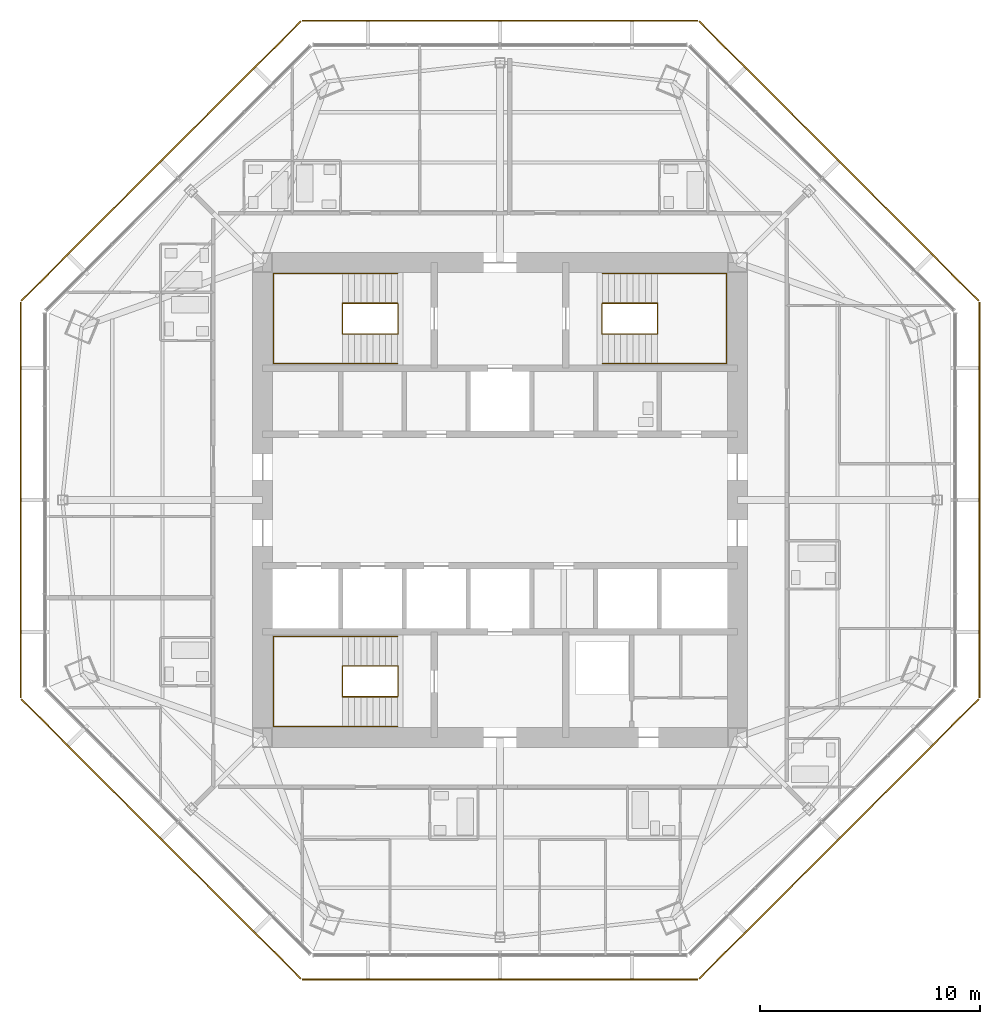
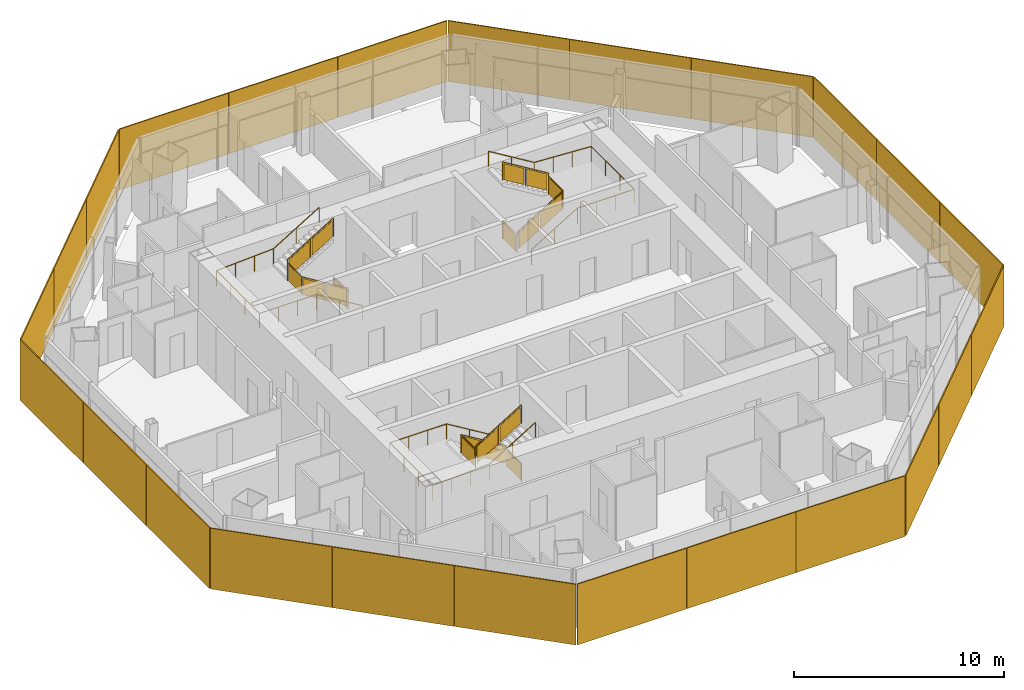
# One storey, part 14 of 15: 24 shading devices, 6 railings.
"""IFC4 building model written with IfcOpenShell, lengths in metres."""

from ifc_helpers import new_model, si_unit, direction, frame, origin, origin_2d, place, context, subcontext, project, spatial, polyline, rectangle, circle, outline, extrude, source, transform, mapped, material, layer, layer_set, type_object, type_shapes, element, save


model = new_model("IFC4")

# Units and contexts
model_context = context("Model", 3, precision=1e-05, world=origin(), true_north=direction((0.0, 1.0)))
body_context = subcontext(model_context, "Body", "Model", "MODEL_VIEW")
ifc_project = project(units=[si_unit("LENGTHUNIT", "METRE"), si_unit("AREAUNIT", "SQUARE_METRE"), si_unit("VOLUMEUNIT", "CUBIC_METRE"), si_unit("PLANEANGLEUNIT", "RADIAN"), si_unit("MASSUNIT", "GRAM", prefix="KILO")], contexts=[model_context])

# Site, building, storey
site_placement = place(None, origin())
site = spatial("IfcSite", under=ifc_project, at=site_placement, CompositionType="ELEMENT")
building_placement = place(site_placement, origin())
building = spatial("IfcBuilding", under=site, at=building_placement, Name="Mashrafa Tower", CompositionType="ELEMENT")
storey_placement = place(building_placement, frame((0.0, 0.0, 258.39990234375)))
storey = spatial("IfcBuildingStorey", under=building, at=storey_placement, Name="L62", CompositionType="ELEMENT", Elevation=258.39990234375)

# Railings
ifc_material_1 = material(Name="Steel guard with glass infill", Category="steel")
railing_type_1 = type_object("IfcRailingType", Name="Stair guard 1100", PredefinedType="GUARDRAIL", material=ifc_material_1)
railing_1_placement = place(storey_placement, frame((-4.64990234375, 8.949951171875, 0.0)))
element("IfcRailing", 1, at=railing_1_placement, inside=storey, type_object=railing_type_1, Name="Stair S1 guard L62", PredefinedType="GUARDRAIL", context=body_context, shape_type="SweptSolid", body=[
    extrude(circle(Radius=0.02392578125, at=origin_2d()), frame((0.0, 0.0, 1.076171875), z_axis=(0.0, -1.0, 0.0), x_axis=(1.0, 0.0, 0.0)), (0.0, 0.0, 1.0), 1.39990234375),
    extrude(circle(Radius=0.02392578125, at=origin_2d()), frame((0.0, -1.39990234375, 1.076171875), z_axis=(0.0, 0.0, 1.0), x_axis=(1.0, 0.0, 0.0)), (0.0, 0.0, 1.0), 0.170166015625),
    extrude(circle(Radius=0.02392578125, at=origin_2d()), frame((0.0, -1.39990234375, 1.24609375), z_axis=(-0.85478489116, 0.0, 0.518982456201), x_axis=(0.0, -1.0, 0.0)), (0.0, 0.0, 1.0), 2.9482421875),
    extrude(circle(Radius=0.02392578125, at=origin_2d()), frame((-2.52001953125, -1.39990234375, 2.7763671875), z_axis=(0.0, 1.0, 0.0), x_axis=(-1.0, 0.0, 0.0)), (0.0, 0.0, 1.0), 1.39990234375),
    extrude(circle(Radius=0.02392578125, at=origin_2d()), frame((-2.52001953125, 0.0, 2.7763671875), z_axis=(0.0, 0.0, 1.0), x_axis=(1.0, 0.0, 0.0)), (0.0, 0.0, 1.0), 0.169921875),
    extrude(circle(Radius=0.02392578125, at=origin_2d()), frame((-2.52001953125, 0.0, 2.9462890625), z_axis=(0.85478489116, 0.0, 0.518982456201), x_axis=(0.0, 1.0, 0.0)), (0.0, 0.0, 1.0), 2.9482421875),
    extrude(circle(Radius=0.02099609375, at=origin_2d()), origin(), (0.0, 0.0, 1.0), 1.052001953125),
    extrude(circle(Radius=0.02099609375, at=origin_2d()), frame((0.0, -1.39990234375, 0.0)), (0.0, 0.0, 1.0), 1.052001953125),
    extrude(circle(Radius=0.02099609375, at=origin_2d()), frame((0.0, -1.39990234375, 0.170166015625)), (0.0, 0.0, 1.0), 1.052001953125),
    extrude(circle(Radius=0.02099609375, at=origin_2d()), frame((-1.260009765625, -1.39990234375, 0.93505859375)), (0.0, 0.0, 1.0), 1.052001953125),
    extrude(circle(Radius=0.02099609375, at=origin_2d()), frame((-2.52001953125, -1.39990234375, 1.7001953125)), (0.0, 0.0, 1.0), 1.052001953125),
    extrude(circle(Radius=0.02099609375, at=origin_2d()), frame((-2.52001953125, 0.0, 1.7001953125)), (0.0, 0.0, 1.0), 1.052001953125),
    extrude(circle(Radius=0.02099609375, at=origin_2d()), frame((-2.52001953125, 0.0, 1.8701171875)), (0.0, 0.0, 1.0), 1.052001953125),
    extrude(circle(Radius=0.02099609375, at=origin_2d()), frame((-1.260009765625, 0.0, 2.63525390625)), (0.0, 0.0, 1.0), 1.052001953125),
    extrude(circle(Radius=0.02099609375, at=origin_2d()), frame((0.0, 0.0, 3.400146484375)), (0.0, 0.0, 1.0), 1.052001953125),
    extrude(outline(polyline([(0.071044921875, 0.050048828125), (1.328857421875, 0.050048828125), (1.328857421875, 1.001953125), (0.071044921875, 1.001953125), (0.071044921875, 0.050048828125)])), frame((-0.006103515625, 0.0, 0.0), z_axis=(-1.0, 0.0, 0.0), x_axis=(0.0, -1.0, 0.0)), (0.0, 0.0, 1.0), 0.011962890625),
    extrude(outline(polyline([(0.071044921875, 0.093017578125), (1.18896484375, 0.77197265625), (1.18896484375, 1.723876953125), (0.071044921875, 1.045166015625), (0.071044921875, 0.093017578125)])), frame((0.0, -1.393798828125, 0.170166015625), z_axis=(0.0, 1.0, 0.0), x_axis=(-1.0, 0.0, 0.0)), (0.0, 0.0, 1.0), 0.011962890625),
    extrude(outline(polyline([(1.3310546875, 0.858154296875), (2.448974609375, 1.536865234375), (2.448974609375, 2.489013671875), (1.3310546875, 1.81005859375), (1.3310546875, 0.858154296875)])), frame((0.0, -1.393798828125, 0.170166015625), z_axis=(0.0, 1.0, 0.0), x_axis=(-1.0, 0.0, 0.0)), (0.0, 0.0, 1.0), 0.011962890625),
    extrude(outline(polyline([(0.071044921875, 0.050048828125), (1.328857421875, 0.050048828125), (1.328857421875, 1.001953125), (0.071044921875, 1.001953125), (0.071044921875, 0.050048828125)])), frame((-2.513916015625, -1.39990234375, 1.7001953125), z_axis=(1.0, 0.0, 0.0), x_axis=(0.0, 1.0, 0.0)), (0.0, 0.0, 1.0), 0.011962890625),
    extrude(outline(polyline([(0.071044921875, 0.093017578125), (1.18896484375, 0.77197265625), (1.18896484375, 1.723876953125), (0.071044921875, 1.045166015625), (0.071044921875, 0.093017578125)])), frame((-2.52001953125, -0.006103515625, 1.8701171875), z_axis=(0.0, -1.0, 0.0), x_axis=(1.0, 0.0, 0.0)), (0.0, 0.0, 1.0), 0.011962890625),
    extrude(outline(polyline([(1.3310546875, 0.858154296875), (2.448974609375, 1.536865234375), (2.448974609375, 2.489013671875), (1.3310546875, 1.81005859375), (1.3310546875, 0.858154296875)])), frame((-2.52001953125, -0.006103515625, 1.8701171875), z_axis=(0.0, -1.0, 0.0), x_axis=(1.0, 0.0, 0.0)), (0.0, 0.0, 1.0), 0.011962890625),
])
railing_2_placement = place(storey_placement, frame((4.64990234375, 8.949951171875, 0.0)))
element("IfcRailing", 2, at=railing_2_placement, inside=storey, type_object=railing_type_1, Name="Stair S2 guard L62", PredefinedType="GUARDRAIL", context=body_context, shape_type="SweptSolid", body=[
    extrude(circle(Radius=0.02392578125, at=origin_2d()), frame((0.0, 0.0, 1.076171875), z_axis=(0.0, -1.0, 0.0), x_axis=(1.0, 0.0, 0.0)), (0.0, 0.0, 1.0), 1.39990234375),
    extrude(circle(Radius=0.02392578125, at=origin_2d()), frame((0.0, -1.39990234375, 1.076171875), z_axis=(0.0, 0.0, 1.0), x_axis=(1.0, 0.0, 0.0)), (0.0, 0.0, 1.0), 0.170166015625),
    extrude(circle(Radius=0.02392578125, at=origin_2d()), frame((0.0, -1.39990234375, 1.24609375), z_axis=(0.85478489116, 0.0, 0.518982456201), x_axis=(0.0, 1.0, 0.0)), (0.0, 0.0, 1.0), 2.9482421875),
    extrude(circle(Radius=0.02392578125, at=origin_2d()), frame((2.52001953125, -1.39990234375, 2.7763671875), z_axis=(0.0, 1.0, 0.0), x_axis=(-1.0, 0.0, 0.0)), (0.0, 0.0, 1.0), 1.39990234375),
    extrude(circle(Radius=0.02392578125, at=origin_2d()), frame((2.52001953125, 0.0, 2.7763671875), z_axis=(0.0, 0.0, 1.0), x_axis=(1.0, 0.0, 0.0)), (0.0, 0.0, 1.0), 0.169921875),
    extrude(circle(Radius=0.02392578125, at=origin_2d()), frame((2.52001953125, 0.0, 2.9462890625), z_axis=(-0.85478489116, 0.0, 0.518982456201), x_axis=(0.0, -1.0, 0.0)), (0.0, 0.0, 1.0), 2.9482421875),
    extrude(circle(Radius=0.02099609375, at=origin_2d()), origin(), (0.0, 0.0, 1.0), 1.052001953125),
    extrude(circle(Radius=0.02099609375, at=origin_2d()), frame((0.0, -1.39990234375, 0.0)), (0.0, 0.0, 1.0), 1.052001953125),
    extrude(circle(Radius=0.02099609375, at=origin_2d()), frame((0.0, -1.39990234375, 0.170166015625)), (0.0, 0.0, 1.0), 1.052001953125),
    extrude(circle(Radius=0.02099609375, at=origin_2d()), frame((1.260009765625, -1.39990234375, 0.93505859375)), (0.0, 0.0, 1.0), 1.052001953125),
    extrude(circle(Radius=0.02099609375, at=origin_2d()), frame((2.52001953125, -1.39990234375, 1.7001953125)), (0.0, 0.0, 1.0), 1.052001953125),
    extrude(circle(Radius=0.02099609375, at=origin_2d()), frame((2.52001953125, 0.0, 1.7001953125)), (0.0, 0.0, 1.0), 1.052001953125),
    extrude(circle(Radius=0.02099609375, at=origin_2d()), frame((2.52001953125, 0.0, 1.8701171875)), (0.0, 0.0, 1.0), 1.052001953125),
    extrude(circle(Radius=0.02099609375, at=origin_2d()), frame((1.260009765625, 0.0, 2.63525390625)), (0.0, 0.0, 1.0), 1.052001953125),
    extrude(circle(Radius=0.02099609375, at=origin_2d()), frame((0.0, 0.0, 3.400146484375)), (0.0, 0.0, 1.0), 1.052001953125),
    extrude(outline(polyline([(0.071044921875, 0.050048828125), (1.328857421875, 0.050048828125), (1.328857421875, 1.001953125), (0.071044921875, 1.001953125), (0.071044921875, 0.050048828125)])), frame((-0.006103515625, 0.0, 0.0), z_axis=(-1.0, 0.0, 0.0), x_axis=(0.0, -1.0, 0.0)), (0.0, 0.0, 1.0), 0.011962890625),
    extrude(outline(polyline([(0.071044921875, 0.093017578125), (1.18896484375, 0.77197265625), (1.18896484375, 1.723876953125), (0.071044921875, 1.045166015625), (0.071044921875, 0.093017578125)])), frame((0.0, -1.406005859375, 0.170166015625), z_axis=(0.0, -1.0, 0.0), x_axis=(1.0, 0.0, 0.0)), (0.0, 0.0, 1.0), 0.011962890625),
    extrude(outline(polyline([(1.3310546875, 0.858154296875), (2.448974609375, 1.536865234375), (2.448974609375, 2.489013671875), (1.3310546875, 1.81005859375), (1.3310546875, 0.858154296875)])), frame((0.0, -1.406005859375, 0.170166015625), z_axis=(0.0, -1.0, 0.0), x_axis=(1.0, 0.0, 0.0)), (0.0, 0.0, 1.0), 0.011962890625),
    extrude(outline(polyline([(0.071044921875, 0.050048828125), (1.328857421875, 0.050048828125), (1.328857421875, 1.001953125), (0.071044921875, 1.001953125), (0.071044921875, 0.050048828125)])), frame((2.526123046875, -1.39990234375, 1.7001953125), z_axis=(1.0, 0.0, 0.0), x_axis=(0.0, 1.0, 0.0)), (0.0, 0.0, 1.0), 0.011962890625),
    extrude(outline(polyline([(0.071044921875, 0.093017578125), (1.18896484375, 0.77197265625), (1.18896484375, 1.723876953125), (0.071044921875, 1.045166015625), (0.071044921875, 0.093017578125)])), frame((2.52001953125, 0.006103515625, 1.8701171875), z_axis=(0.0, 1.0, 0.0), x_axis=(-1.0, 0.0, 0.0)), (0.0, 0.0, 1.0), 0.011962890625),
    extrude(outline(polyline([(1.3310546875, 0.858154296875), (2.448974609375, 1.536865234375), (2.448974609375, 2.489013671875), (1.3310546875, 1.81005859375), (1.3310546875, 0.858154296875)])), frame((2.52001953125, 0.006103515625, 1.8701171875), z_axis=(0.0, 1.0, 0.0), x_axis=(-1.0, 0.0, 0.0)), (0.0, 0.0, 1.0), 0.011962890625),
])
railing_3_placement = place(storey_placement, frame((-4.64990234375, -8.949951171875, 0.0)))
element("IfcRailing", 3, at=railing_3_placement, inside=storey, type_object=railing_type_1, Name="Stair S3 guard L62", PredefinedType="GUARDRAIL", context=body_context, shape_type="SweptSolid", body=[
    extrude(circle(Radius=0.02392578125, at=origin_2d()), frame((0.0, 0.0, 1.076171875), z_axis=(0.0, 1.0, 0.0), x_axis=(-1.0, 0.0, 0.0)), (0.0, 0.0, 1.0), 1.39990234375),
    extrude(circle(Radius=0.02392578125, at=origin_2d()), frame((0.0, 1.39990234375, 1.076171875), z_axis=(0.0, 0.0, 1.0), x_axis=(1.0, 0.0, 0.0)), (0.0, 0.0, 1.0), 0.170166015625),
    extrude(circle(Radius=0.02392578125, at=origin_2d()), frame((0.0, 1.39990234375, 1.24609375), z_axis=(-0.85478489116, 0.0, 0.518982456201), x_axis=(0.0, -1.0, 0.0)), (0.0, 0.0, 1.0), 2.9482421875),
    extrude(circle(Radius=0.02392578125, at=origin_2d()), frame((-2.52001953125, 1.39990234375, 2.7763671875), z_axis=(0.0, -1.0, 0.0), x_axis=(1.0, 0.0, 0.0)), (0.0, 0.0, 1.0), 1.39990234375),
    extrude(circle(Radius=0.02392578125, at=origin_2d()), frame((-2.52001953125, 0.0, 2.7763671875), z_axis=(0.0, 0.0, 1.0), x_axis=(1.0, 0.0, 0.0)), (0.0, 0.0, 1.0), 0.169921875),
    extrude(circle(Radius=0.02392578125, at=origin_2d()), frame((-2.52001953125, 0.0, 2.9462890625), z_axis=(0.85478489116, 0.0, 0.518982456201), x_axis=(0.0, 1.0, 0.0)), (0.0, 0.0, 1.0), 2.9482421875),
    extrude(circle(Radius=0.02099609375, at=origin_2d()), origin(), (0.0, 0.0, 1.0), 1.052001953125),
    extrude(circle(Radius=0.02099609375, at=origin_2d()), frame((0.0, 1.39990234375, 0.0)), (0.0, 0.0, 1.0), 1.052001953125),
    extrude(circle(Radius=0.02099609375, at=origin_2d()), frame((0.0, 1.39990234375, 0.170166015625)), (0.0, 0.0, 1.0), 1.052001953125),
    extrude(circle(Radius=0.02099609375, at=origin_2d()), frame((-1.260009765625, 1.39990234375, 0.93505859375)), (0.0, 0.0, 1.0), 1.052001953125),
    extrude(circle(Radius=0.02099609375, at=origin_2d()), frame((-2.52001953125, 1.39990234375, 1.7001953125)), (0.0, 0.0, 1.0), 1.052001953125),
    extrude(circle(Radius=0.02099609375, at=origin_2d()), frame((-2.52001953125, 0.0, 1.7001953125)), (0.0, 0.0, 1.0), 1.052001953125),
    extrude(circle(Radius=0.02099609375, at=origin_2d()), frame((-2.52001953125, 0.0, 1.8701171875)), (0.0, 0.0, 1.0), 1.052001953125),
    extrude(circle(Radius=0.02099609375, at=origin_2d()), frame((-1.260009765625, 0.0, 2.63525390625)), (0.0, 0.0, 1.0), 1.052001953125),
    extrude(circle(Radius=0.02099609375, at=origin_2d()), frame((0.0, 0.0, 3.400146484375)), (0.0, 0.0, 1.0), 1.052001953125),
    extrude(outline(polyline([(0.071044921875, 0.050048828125), (1.328857421875, 0.050048828125), (1.328857421875, 1.001953125), (0.071044921875, 1.001953125), (0.071044921875, 0.050048828125)])), frame((0.006103515625, 0.0, 0.0), z_axis=(1.0, 0.0, 0.0), x_axis=(0.0, 1.0, 0.0)), (0.0, 0.0, 1.0), 0.011962890625),
    extrude(outline(polyline([(0.071044921875, 0.093017578125), (1.18896484375, 0.77197265625), (1.18896484375, 1.723876953125), (0.071044921875, 1.045166015625), (0.071044921875, 0.093017578125)])), frame((0.0, 1.406005859375, 0.170166015625), z_axis=(0.0, 1.0, 0.0), x_axis=(-1.0, 0.0, 0.0)), (0.0, 0.0, 1.0), 0.011962890625),
    extrude(outline(polyline([(1.3310546875, 0.858154296875), (2.448974609375, 1.536865234375), (2.448974609375, 2.489013671875), (1.3310546875, 1.81005859375), (1.3310546875, 0.858154296875)])), frame((0.0, 1.406005859375, 0.170166015625), z_axis=(0.0, 1.0, 0.0), x_axis=(-1.0, 0.0, 0.0)), (0.0, 0.0, 1.0), 0.011962890625),
    extrude(outline(polyline([(0.071044921875, 0.050048828125), (1.328857421875, 0.050048828125), (1.328857421875, 1.001953125), (0.071044921875, 1.001953125), (0.071044921875, 0.050048828125)])), frame((-2.526123046875, 1.39990234375, 1.7001953125), z_axis=(-1.0, 0.0, 0.0), x_axis=(0.0, -1.0, 0.0)), (0.0, 0.0, 1.0), 0.011962890625),
    extrude(outline(polyline([(0.071044921875, 0.093017578125), (1.18896484375, 0.77197265625), (1.18896484375, 1.723876953125), (0.071044921875, 1.045166015625), (0.071044921875, 0.093017578125)])), frame((-2.52001953125, -0.006103515625, 1.8701171875), z_axis=(0.0, -1.0, 0.0), x_axis=(1.0, 0.0, 0.0)), (0.0, 0.0, 1.0), 0.011962890625),
    extrude(outline(polyline([(1.3310546875, 0.858154296875), (2.448974609375, 1.536865234375), (2.448974609375, 2.489013671875), (1.3310546875, 1.81005859375), (1.3310546875, 0.858154296875)])), frame((-2.52001953125, -0.006103515625, 1.8701171875), z_axis=(0.0, -1.0, 0.0), x_axis=(1.0, 0.0, 0.0)), (0.0, 0.0, 1.0), 0.011962890625),
])
ifc_material_2 = material(Name="Steel", Category="steel")
railing_type_2 = type_object("IfcRailingType", Name="Stair handrail 900", PredefinedType="HANDRAIL", material=ifc_material_2)
railing_4_placement = place(storey_placement, frame((-4.64990234375, 6.199951171875, 0.170166015625)))
element("IfcRailing", 4, at=railing_4_placement, inside=storey, type_object=railing_type_2, Name="Stair S1 handrail L62", PredefinedType="HANDRAIL", context=body_context, shape_type="SweptSolid", body=[
    extrude(circle(Radius=0.02392578125, at=origin_2d()), frame((0.0, 0.0, 0.8759765625), z_axis=(-0.85478489116, 0.0, 0.518982456201), x_axis=(0.0, -1.0, 0.0)), (0.0, 0.0, 1.0), 2.9482421875),
    extrude(circle(Radius=0.02392578125, at=origin_2d()), frame((-2.52001953125, 0.0, 2.40576171875), z_axis=(-1.0, 0.0, 0.0), x_axis=(0.0, -1.0, 0.0)), (0.0, 0.0, 1.0), 3.130126953125),
    extrude(circle(Radius=0.02392578125, at=origin_2d()), frame((-5.650146484375, 0.0, 2.40576171875), z_axis=(0.0, 1.0, 0.0), x_axis=(-1.0, 0.0, 0.0)), (0.0, 0.0, 1.0), 4.10009765625),
    extrude(circle(Radius=0.02392578125, at=origin_2d()), frame((-5.650146484375, 4.10009765625, 2.40576171875), z_axis=(0.998529767259, 0.0, 0.054206124172), x_axis=(0.0, 1.0, 0.0)), (0.0, 0.0, 1.0), 3.134765625),
    extrude(circle(Radius=0.02392578125, at=origin_2d()), frame((-2.52001953125, 4.10009765625, 2.57568359375), z_axis=(0.85478489116, 0.0, 0.518982456201), x_axis=(0.0, 1.0, 0.0)), (0.0, 0.0, 1.0), 2.9482421875),
    extrude(circle(Radius=0.02099609375, at=origin_2d()), origin(), (0.0, 0.0, 1.0), 0.851806640625),
    extrude(circle(Radius=0.02099609375, at=origin_2d()), frame((-1.260009765625, 0.0, 0.76513671875)), (0.0, 0.0, 1.0), 0.851806640625),
    extrude(circle(Radius=0.02099609375, at=origin_2d()), frame((-2.52001953125, 0.0, 1.530029296875)), (0.0, 0.0, 1.0), 0.851806640625),
    extrude(circle(Radius=0.02099609375, at=origin_2d()), frame((-3.5634765625, 0.0, 1.530029296875)), (0.0, 0.0, 1.0), 0.851806640625),
    extrude(circle(Radius=0.02099609375, at=origin_2d()), frame((-4.606689453125, 0.0, 1.530029296875)), (0.0, 0.0, 1.0), 0.851806640625),
    extrude(circle(Radius=0.02099609375, at=origin_2d()), frame((-5.650146484375, 0.0, 1.530029296875)), (0.0, 0.0, 1.0), 0.851806640625),
    extrude(circle(Radius=0.02099609375, at=origin_2d()), frame((-5.650146484375, 1.36669921875, 1.530029296875)), (0.0, 0.0, 1.0), 0.851806640625),
    extrude(circle(Radius=0.02099609375, at=origin_2d()), frame((-5.650146484375, 2.7333984375, 1.530029296875)), (0.0, 0.0, 1.0), 0.851806640625),
    extrude(circle(Radius=0.02099609375, at=origin_2d()), frame((-5.650146484375, 4.10009765625, 1.530029296875)), (0.0, 0.0, 1.0), 0.851806640625),
    extrude(circle(Radius=0.02099609375, at=origin_2d()), frame((-4.606689453125, 4.10009765625, 1.586669921875)), (0.0, 0.0, 1.0), 0.851806640625),
    extrude(circle(Radius=0.02099609375, at=origin_2d()), frame((-3.5634765625, 4.10009765625, 1.643310546875)), (0.0, 0.0, 1.0), 0.851806640625),
    extrude(circle(Radius=0.02099609375, at=origin_2d()), frame((-2.52001953125, 4.10009765625, 1.699951171875)), (0.0, 0.0, 1.0), 0.851806640625),
    extrude(circle(Radius=0.02099609375, at=origin_2d()), frame((-1.260009765625, 4.10009765625, 2.46484375)), (0.0, 0.0, 1.0), 0.851806640625),
    extrude(circle(Radius=0.02099609375, at=origin_2d()), frame((0.0, 4.10009765625, 3.22998046875)), (0.0, 0.0, 1.0), 0.851806640625),
])
railing_5_placement = place(storey_placement, frame((4.64990234375, 6.199951171875, 0.170166015625)))
element("IfcRailing", 5, at=railing_5_placement, inside=storey, type_object=railing_type_2, Name="Stair S2 handrail L62", PredefinedType="HANDRAIL", context=body_context, shape_type="SweptSolid", body=[
    extrude(circle(Radius=0.02392578125, at=origin_2d()), frame((0.0, 0.0, 0.8759765625), z_axis=(0.85478489116, 0.0, 0.518982456201), x_axis=(0.0, 1.0, 0.0)), (0.0, 0.0, 1.0), 2.9482421875),
    extrude(circle(Radius=0.02392578125, at=origin_2d()), frame((2.52001953125, 0.0, 2.40576171875), z_axis=(1.0, 0.0, 0.0), x_axis=(0.0, 1.0, 0.0)), (0.0, 0.0, 1.0), 3.130126953125),
    extrude(circle(Radius=0.02392578125, at=origin_2d()), frame((5.650146484375, 0.0, 2.40576171875), z_axis=(0.0, 1.0, 0.0), x_axis=(-1.0, 0.0, 0.0)), (0.0, 0.0, 1.0), 4.10009765625),
    extrude(circle(Radius=0.02392578125, at=origin_2d()), frame((5.650146484375, 4.10009765625, 2.40576171875), z_axis=(-0.998529767259, 0.0, 0.054206124172), x_axis=(0.0, -1.0, 0.0)), (0.0, 0.0, 1.0), 3.134765625),
    extrude(circle(Radius=0.02392578125, at=origin_2d()), frame((2.52001953125, 4.10009765625, 2.57568359375), z_axis=(-0.85478489116, 0.0, 0.518982456201), x_axis=(0.0, -1.0, 0.0)), (0.0, 0.0, 1.0), 2.9482421875),
    extrude(circle(Radius=0.02099609375, at=origin_2d()), origin(), (0.0, 0.0, 1.0), 0.851806640625),
    extrude(circle(Radius=0.02099609375, at=origin_2d()), frame((1.260009765625, 0.0, 0.76513671875)), (0.0, 0.0, 1.0), 0.851806640625),
    extrude(circle(Radius=0.02099609375, at=origin_2d()), frame((2.52001953125, 0.0, 1.530029296875)), (0.0, 0.0, 1.0), 0.851806640625),
    extrude(circle(Radius=0.02099609375, at=origin_2d()), frame((3.5634765625, 0.0, 1.530029296875)), (0.0, 0.0, 1.0), 0.851806640625),
    extrude(circle(Radius=0.02099609375, at=origin_2d()), frame((4.606689453125, 0.0, 1.530029296875)), (0.0, 0.0, 1.0), 0.851806640625),
    extrude(circle(Radius=0.02099609375, at=origin_2d()), frame((5.650146484375, 0.0, 1.530029296875)), (0.0, 0.0, 1.0), 0.851806640625),
    extrude(circle(Radius=0.02099609375, at=origin_2d()), frame((5.650146484375, 1.36669921875, 1.530029296875)), (0.0, 0.0, 1.0), 0.851806640625),
    extrude(circle(Radius=0.02099609375, at=origin_2d()), frame((5.650146484375, 2.7333984375, 1.530029296875)), (0.0, 0.0, 1.0), 0.851806640625),
    extrude(circle(Radius=0.02099609375, at=origin_2d()), frame((5.650146484375, 4.10009765625, 1.530029296875)), (0.0, 0.0, 1.0), 0.851806640625),
    extrude(circle(Radius=0.02099609375, at=origin_2d()), frame((4.606689453125, 4.10009765625, 1.586669921875)), (0.0, 0.0, 1.0), 0.851806640625),
    extrude(circle(Radius=0.02099609375, at=origin_2d()), frame((3.5634765625, 4.10009765625, 1.643310546875)), (0.0, 0.0, 1.0), 0.851806640625),
    extrude(circle(Radius=0.02099609375, at=origin_2d()), frame((2.52001953125, 4.10009765625, 1.699951171875)), (0.0, 0.0, 1.0), 0.851806640625),
    extrude(circle(Radius=0.02099609375, at=origin_2d()), frame((1.260009765625, 4.10009765625, 2.46484375)), (0.0, 0.0, 1.0), 0.851806640625),
    extrude(circle(Radius=0.02099609375, at=origin_2d()), frame((0.0, 4.10009765625, 3.22998046875)), (0.0, 0.0, 1.0), 0.851806640625),
])
railing_6_placement = place(storey_placement, frame((-4.64990234375, -6.199951171875, 0.170166015625)))
element("IfcRailing", 6, at=railing_6_placement, inside=storey, type_object=railing_type_2, Name="Stair S3 handrail L62", PredefinedType="HANDRAIL", context=body_context, shape_type="SweptSolid", body=[
    extrude(circle(Radius=0.02392578125, at=origin_2d()), frame((0.0, 0.0, 0.8759765625), z_axis=(-0.85478489116, 0.0, 0.518982456201), x_axis=(0.0, -1.0, 0.0)), (0.0, 0.0, 1.0), 2.9482421875),
    extrude(circle(Radius=0.02392578125, at=origin_2d()), frame((-2.52001953125, 0.0, 2.40576171875), z_axis=(-1.0, 0.0, 0.0), x_axis=(0.0, -1.0, 0.0)), (0.0, 0.0, 1.0), 3.130126953125),
    extrude(circle(Radius=0.02392578125, at=origin_2d()), frame((-5.650146484375, 0.0, 2.40576171875), z_axis=(0.0, -1.0, 0.0), x_axis=(1.0, 0.0, 0.0)), (0.0, 0.0, 1.0), 4.10009765625),
    extrude(circle(Radius=0.02392578125, at=origin_2d()), frame((-5.650146484375, -4.10009765625, 2.40576171875), z_axis=(0.998529767259, 0.0, 0.054206124172), x_axis=(0.0, 1.0, 0.0)), (0.0, 0.0, 1.0), 3.134765625),
    extrude(circle(Radius=0.02392578125, at=origin_2d()), frame((-2.52001953125, -4.10009765625, 2.57568359375), z_axis=(0.85478489116, 0.0, 0.518982456201), x_axis=(0.0, 1.0, 0.0)), (0.0, 0.0, 1.0), 2.9482421875),
    extrude(circle(Radius=0.02099609375, at=origin_2d()), origin(), (0.0, 0.0, 1.0), 0.851806640625),
    extrude(circle(Radius=0.02099609375, at=origin_2d()), frame((-1.260009765625, 0.0, 0.76513671875)), (0.0, 0.0, 1.0), 0.851806640625),
    extrude(circle(Radius=0.02099609375, at=origin_2d()), frame((-2.52001953125, 0.0, 1.530029296875)), (0.0, 0.0, 1.0), 0.851806640625),
    extrude(circle(Radius=0.02099609375, at=origin_2d()), frame((-3.5634765625, 0.0, 1.530029296875)), (0.0, 0.0, 1.0), 0.851806640625),
    extrude(circle(Radius=0.02099609375, at=origin_2d()), frame((-4.606689453125, 0.0, 1.530029296875)), (0.0, 0.0, 1.0), 0.851806640625),
    extrude(circle(Radius=0.02099609375, at=origin_2d()), frame((-5.650146484375, 0.0, 1.530029296875)), (0.0, 0.0, 1.0), 0.851806640625),
    extrude(circle(Radius=0.02099609375, at=origin_2d()), frame((-5.650146484375, -1.36669921875, 1.530029296875)), (0.0, 0.0, 1.0), 0.851806640625),
    extrude(circle(Radius=0.02099609375, at=origin_2d()), frame((-5.650146484375, -2.7333984375, 1.530029296875)), (0.0, 0.0, 1.0), 0.851806640625),
    extrude(circle(Radius=0.02099609375, at=origin_2d()), frame((-5.650146484375, -4.10009765625, 1.530029296875)), (0.0, 0.0, 1.0), 0.851806640625),
    extrude(circle(Radius=0.02099609375, at=origin_2d()), frame((-4.606689453125, -4.10009765625, 1.586669921875)), (0.0, 0.0, 1.0), 0.851806640625),
    extrude(circle(Radius=0.02099609375, at=origin_2d()), frame((-3.5634765625, -4.10009765625, 1.643310546875)), (0.0, 0.0, 1.0), 0.851806640625),
    extrude(circle(Radius=0.02099609375, at=origin_2d()), frame((-2.52001953125, -4.10009765625, 1.699951171875)), (0.0, 0.0, 1.0), 0.851806640625),
    extrude(circle(Radius=0.02099609375, at=origin_2d()), frame((-1.260009765625, -4.10009765625, 2.46484375)), (0.0, 0.0, 1.0), 0.851806640625),
    extrude(circle(Radius=0.02099609375, at=origin_2d()), frame((0.0, -4.10009765625, 3.22998046875)), (0.0, 0.0, 1.0), 0.851806640625),
])

# Shading devices
ifc_material_3 = material(Name="Perforated aluminium plate, eight-point star pattern", Category="aluminium")
ifc_layer = layer(ifc_material_3, 0.06005859375)
ifc_layer_set = layer_set([ifc_layer], Name="Mashrabiya screen panel apartment zone 3, 28 percent open")
shading_device_type = type_object("IfcShadingDeviceType", Name="Mashrabiya screen panel apartment zone 3, 28 percent open", PredefinedType="SHUTTER", material=ifc_layer_set)
shared_shape = source(origin(), body_context, "Body", "SweptSolid", [
    extrude(rectangle(XDim=5.986328125, YDim=0.06005859375, at=origin_2d()), origin(), (0.0, 0.0, 1.0), 3.530029296875),
])
type_shapes(shading_device_type, [shared_shape])
for number, where, z_axis, x_axis, name in (
    (7, (21.804931640625, -6.00634765625, -0.14990234375), (0.0, 0.0, 1.0), (0.0, 1.0, 0.0), "Mashrabiya screen L62 east 1"),
    (8, (21.804931640625, 0.0, -0.14990234375), (0.0, 0.0, 1.0), (0.0, 1.0, 0.0), "Mashrabiya screen L62 east 2"),
    (9, (21.804931640625, 6.00634765625, -0.14990234375), (0.0, 0.0, 1.0), (0.0, 1.0, 0.0), "Mashrabiya screen L62 east 3"),
    (10, (19.66552734375, 11.17138671875, -0.14990234375), (0.0, 0.0, 1.0), (-0.707106781187, 0.707106781187, 0.0), "Mashrabiya screen L62 north-east 1"),
    (11, (15.41845703125, 15.41845703125, -0.14990234375), (0.0, 0.0, 1.0), (-0.707106781187, 0.707106781187, 0.0), "Mashrabiya screen L62 north-east 2"),
    (12, (11.17138671875, 19.66552734375, -0.14990234375), (0.0, 0.0, 1.0), (-0.707106781187, 0.707106781187, 0.0), "Mashrabiya screen L62 north-east 3"),
    (13, (6.00634765625, 21.804931640625, -0.14990234375), (0.0, 0.0, 1.0), (-1.0, 0.0, 0.0), "Mashrabiya screen L62 north 1"),
    (14, (0.0, 21.804931640625, -0.14990234375), (0.0, 0.0, 1.0), (-1.0, 0.0, 0.0), "Mashrabiya screen L62 north 2"),
    (15, (-6.00634765625, 21.804931640625, -0.14990234375), (0.0, 0.0, 1.0), (-1.0, 0.0, 0.0), "Mashrabiya screen L62 north 3"),
    (16, (-11.17138671875, 19.66552734375, -0.14990234375), (0.0, 0.0, 1.0), (-0.707106781187, -0.707106781187, 0.0), "Mashrabiya screen L62 north-west 1"),
    (17, (-15.41845703125, 15.41845703125, -0.14990234375), (0.0, 0.0, 1.0), (-0.707106781187, -0.707106781187, 0.0), "Mashrabiya screen L62 north-west 2"),
    (18, (-19.66552734375, 11.17138671875, -0.14990234375), (0.0, 0.0, 1.0), (-0.707106781187, -0.707106781187, 0.0), "Mashrabiya screen L62 north-west 3"),
    (19, (-21.804931640625, 6.00634765625, -0.14990234375), (0.0, 0.0, 1.0), (0.0, -1.0, 0.0), "Mashrabiya screen L62 west 1"),
    (20, (-21.804931640625, 0.0, -0.14990234375), (0.0, 0.0, 1.0), (0.0, -1.0, 0.0), "Mashrabiya screen L62 west 2"),
    (21, (-21.804931640625, -6.00634765625, -0.14990234375), (0.0, 0.0, 1.0), (0.0, -1.0, 0.0), "Mashrabiya screen L62 west 3"),
    (22, (-19.66552734375, -11.17138671875, -0.14990234375), (0.0, 0.0, 1.0), (0.707106781187, -0.707106781187, 0.0), "Mashrabiya screen L62 south-west 1"),
    (23, (-15.41845703125, -15.41845703125, -0.14990234375), (0.0, 0.0, 1.0), (0.707106781187, -0.707106781187, 0.0), "Mashrabiya screen L62 south-west 2"),
    (24, (-11.17138671875, -19.66552734375, -0.14990234375), (0.0, 0.0, 1.0), (0.707106781187, -0.707106781187, 0.0), "Mashrabiya screen L62 south-west 3"),
    (25, (-6.00634765625, -21.804931640625, -0.14990234375), (0.0, 0.0, 1.0), (1.0, 0.0, 0.0), "Mashrabiya screen L62 south 1"),
    (26, (0.0, -21.804931640625, -0.14990234375), (0.0, 0.0, 1.0), (1.0, 0.0, 0.0), "Mashrabiya screen L62 south 2"),
    (27, (6.00634765625, -21.804931640625, -0.14990234375), (0.0, 0.0, 1.0), (1.0, 0.0, 0.0), "Mashrabiya screen L62 south 3"),
    (28, (11.17138671875, -19.66552734375, -0.14990234375), (0.0, 0.0, 1.0), (0.707106781187, 0.707106781187, 0.0), "Mashrabiya screen L62 south-east 1"),
    (29, (15.41845703125, -15.41845703125, -0.14990234375), (0.0, 0.0, 1.0), (0.707106781187, 0.707106781187, 0.0), "Mashrabiya screen L62 south-east 2"),
    (30, (19.66552734375, -11.17138671875, -0.14990234375), (0.0, 0.0, 1.0), (0.707106781187, 0.707106781187, 0.0), "Mashrabiya screen L62 south-east 3"),
):
    element("IfcShadingDevice", number, at=place(storey_placement, frame(where, z_axis=z_axis, x_axis=x_axis)), inside=storey, type_object=shading_device_type, Name=name, PredefinedType="SHUTTER", context=body_context, shape_type="MappedRepresentation", body=[
        mapped(shared_shape, transform((0.0, 0.0, 0.0))),
    ])

save(model, "model.ifc")
